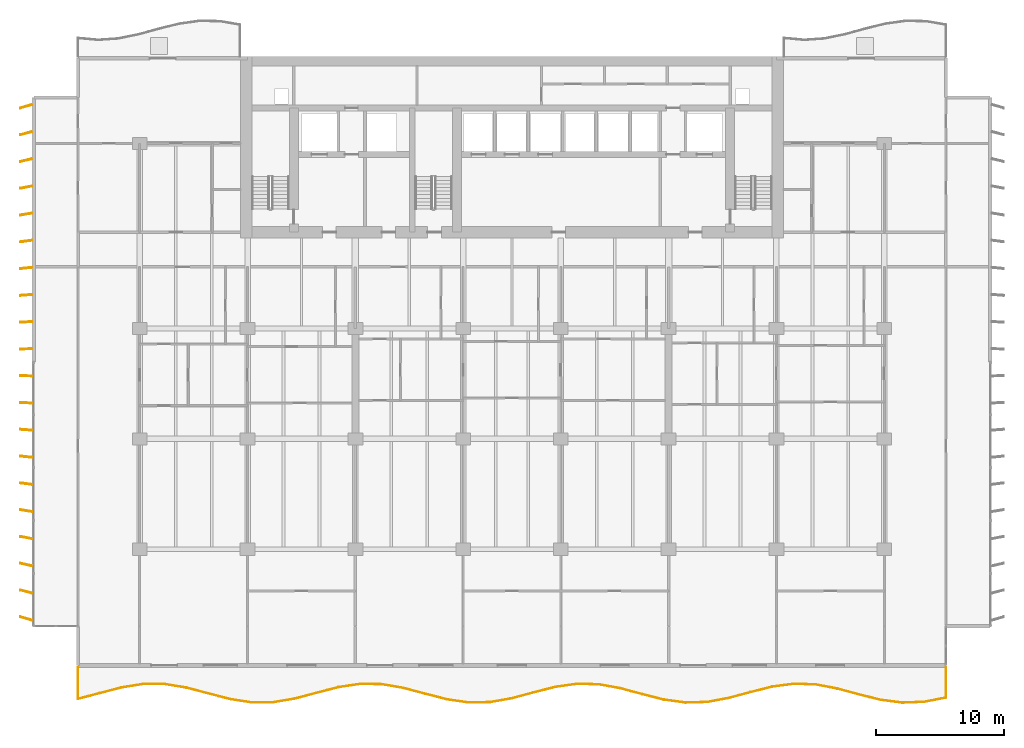
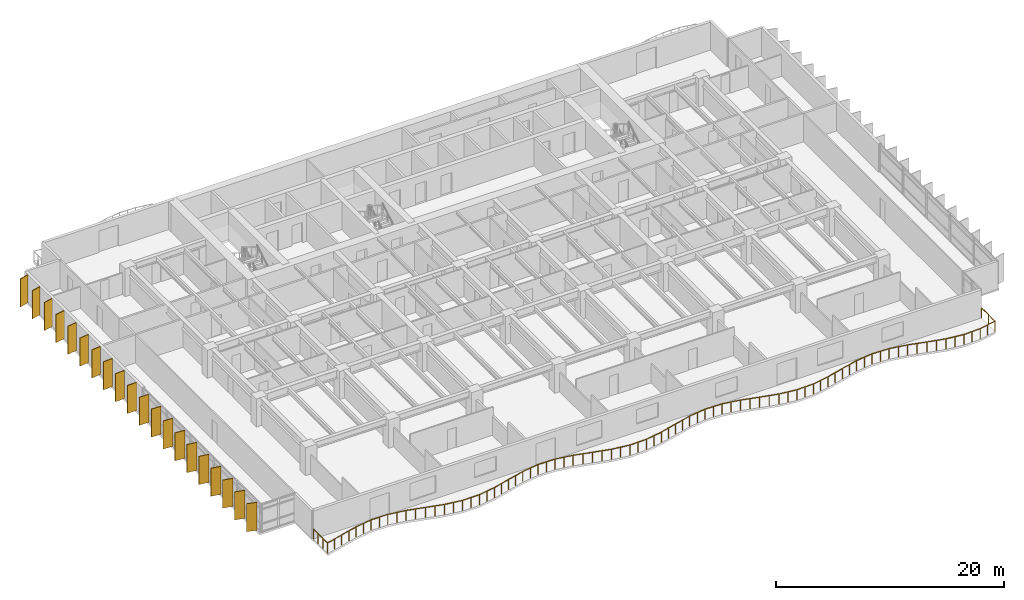
# One storey, part 12 of 15: 20 shading devices, 1 railing.
"""IFC4 building model written with IfcOpenShell, lengths in metres."""

from ifc_helpers import new_model, si_unit, direction, frame, origin, origin_2d, place, context, subcontext, project, spatial, rectangle, circle, extrude, material, material_profile, profile_set, type_object, element, save


model = new_model("IFC4")

# Units and contexts
model_context = context("Model", 3, precision=1e-05, world=origin(), true_north=direction((0.0, 1.0)))
body_context = subcontext(model_context, "Body", "Model", "MODEL_VIEW")
ifc_project = project(units=[si_unit("LENGTHUNIT", "METRE"), si_unit("AREAUNIT", "SQUARE_METRE"), si_unit("VOLUMEUNIT", "CUBIC_METRE"), si_unit("PLANEANGLEUNIT", "RADIAN"), si_unit("MASSUNIT", "GRAM", prefix="KILO")], contexts=[model_context])

# Site, building, storey
site_placement = place(None, origin())
site = spatial("IfcSite", under=ifc_project, at=site_placement, CompositionType="ELEMENT")
building_placement = place(site_placement, origin())
building = spatial("IfcBuilding", under=site, at=building_placement, Name="Caelmar Bay Residences", CompositionType="ELEMENT")
storey_placement = place(building_placement, frame((0.0, 0.0, 76.199951171875)))
storey = spatial("IfcBuildingStorey", under=building, at=storey_placement, Name="L20", CompositionType="ELEMENT", Elevation=76.199951171875)

# Railing
ifc_material_1 = material(Name="Anodised bronze handrail with laminated hurricane glass infill", Category="glass")
railing_type = type_object("IfcRailingType", Name="RL-BAL-1100", PredefinedType="BALUSTRADE", material=ifc_material_1)
railing_placement = place(storey_placement, frame((5.10009765625, 3.0, 0.0)))
element("IfcRailing", 1, at=railing_placement, inside=storey, type_object=railing_type, Name="L20 south Balcony Balustrade", PredefinedType="BALUSTRADE", context=body_context, shape_type="SweptSolid", body=[
    extrude(circle(Radius=0.02392578125, at=origin_2d()), frame((0.0, 0.0, 1.076171875), z_axis=(0.0, -1.0, 0.0), x_axis=(1.0, 0.0, 0.0)), (0.0, 0.0, 1.0), 2.460693359375),
    extrude(circle(Radius=0.02392578125, at=origin_2d()), frame((0.0, -2.460693359375, 1.076171875), z_axis=(0.967231823258, 0.25389486028, 0.0), x_axis=(-0.25389486028, 0.967231823258, 0.0)), (0.0, 0.0, 1.0), 1.747314453125),
    extrude(circle(Radius=0.02392578125, at=origin_2d()), frame((1.68994140625, -2.01708984375, 1.076171875), z_axis=(0.967403207519, 0.253241059235, 0.0), x_axis=(-0.253241059235, 0.967403207519, 0.0)), (0.0, 0.0, 1.0), 1.746826171875),
    extrude(circle(Radius=0.02392578125, at=origin_2d()), frame((3.3798828125, -1.57470703125, 1.076171875), z_axis=(0.987429947528, 0.158057264066, 0.0), x_axis=(-0.158057264066, 0.987429947528, 0.0)), (0.0, 0.0, 1.0), 1.71142578125),
    extrude(circle(Radius=0.02392578125, at=origin_2d()), frame((5.06982421875, -1.30419921875, 1.076171875), z_axis=(0.999993479857, -0.00361112769, 0.0), x_axis=(0.00361112769, 0.999993479857, 0.0)), (0.0, 0.0, 1.0), 1.690185546875),
    extrude(circle(Radius=0.02392578125, at=origin_2d()), frame((6.760009765625, -1.310302734375, 1.076171875), z_axis=(0.986524575318, -0.16361314829, 0.0), x_axis=(0.16361314829, 0.986524575318, 0.0)), (0.0, 0.0, 1.0), 1.713134765625),
    extrude(circle(Radius=0.02392578125, at=origin_2d()), frame((8.449951171875, -1.590576171875, 1.076171875), z_axis=(0.966853438305, -0.255331997287, 0.0), x_axis=(0.255331997287, 0.966853438305, 0.0)), (0.0, 0.0, 1.0), 1.747802734375),
    extrude(circle(Radius=0.02392578125, at=origin_2d()), frame((10.139892578125, -2.036865234375, 1.076171875), z_axis=(0.967778909052, -0.251801475759, 0.0), x_axis=(0.251801475759, 0.967778909052, 0.0)), (0.0, 0.0, 1.0), 1.74609375),
    extrude(circle(Radius=0.02392578125, at=origin_2d()), frame((11.829833984375, -2.4765625, 1.076171875), z_axis=(0.988071145599, -0.153998088416, 0.0), x_axis=(0.153998088416, 0.988071145599, 0.0)), (0.0, 0.0, 1.0), 1.710693359375),
    extrude(circle(Radius=0.02392578125, at=origin_2d()), frame((13.52001953125, -2.739990234375, 1.076171875), z_axis=(0.999961172343, 0.008812139774, 0.0), x_axis=(-0.008812139774, 0.999961172343, 0.0)), (0.0, 0.0, 1.0), 1.68994140625),
    extrude(circle(Radius=0.02392578125, at=origin_2d()), frame((15.2099609375, -2.72509765625, 1.076171875), z_axis=(0.985849727749, 0.167631483612, 0.0), x_axis=(-0.167631483612, 0.985849727749, 0.0)), (0.0, 0.0, 1.0), 1.714111328125),
    extrude(circle(Radius=0.02392578125, at=origin_2d()), frame((16.89990234375, -2.437744140625, 1.076171875), z_axis=(0.966542484633, 0.25650657964, 0.0), x_axis=(-0.25650657964, 0.966542484633, 0.0)), (0.0, 0.0, 1.0), 1.74853515625),
    extrude(circle(Radius=0.02392578125, at=origin_2d()), frame((18.58984375, -1.9892578125, 1.076171875), z_axis=(0.968186650973, 0.25022911277, 0.0), x_axis=(-0.25022911277, 0.968186650973, 0.0)), (0.0, 0.0, 1.0), 1.745361328125),
    extrude(circle(Radius=0.02392578125, at=origin_2d()), frame((20.27978515625, -1.552490234375, 1.076171875), z_axis=(0.988714222179, 0.149813840686, 0.0), x_axis=(-0.149813840686, 0.988714222179, 0.0)), (0.0, 0.0, 1.0), 1.70947265625),
    extrude(circle(Radius=0.02392578125, at=origin_2d()), frame((21.969970703125, -1.29638671875, 1.076171875), z_axis=(0.999903841731, -0.013867490437, 0.0), x_axis=(0.013867490437, 0.999903841731, 0.0)), (0.0, 0.0, 1.0), 1.690185546875),
    extrude(circle(Radius=0.02392578125, at=origin_2d()), frame((23.659912109375, -1.31982421875, 1.076171875), z_axis=(0.985183537336, -0.171503346213, 0.0), x_axis=(0.171503346213, 0.985183537336, 0.0)), (0.0, 0.0, 1.0), 1.71533203125),
    extrude(circle(Radius=0.02392578125, at=origin_2d()), frame((25.349853515625, -1.614013671875, 1.076171875), z_axis=(0.966195543816, -0.257810339415, 0.0), x_axis=(0.257810339415, 0.966195543816, 0.0)), (0.0, 0.0, 1.0), 1.7490234375),
    extrude(circle(Radius=0.02392578125, at=origin_2d()), frame((27.039794921875, -2.06494140625, 1.076171875), z_axis=(0.968634512431, -0.248489801253, 0.0), x_axis=(0.248489801253, 0.968634512431, 0.0)), (0.0, 0.0, 1.0), 1.744873046875),
    extrude(circle(Radius=0.02392578125, at=origin_2d()), frame((28.72998046875, -2.49853515625, 1.076171875), z_axis=(0.989337340387, -0.145642119309, 0.0), x_axis=(0.145642119309, 0.989337340387, 0.0)), (0.0, 0.0, 1.0), 1.708251953125),
    extrude(circle(Radius=0.02392578125, at=origin_2d()), frame((30.419921875, -2.747314453125, 1.076171875), z_axis=(0.999818224123, 0.019066166655, 0.0), x_axis=(-0.019066166655, 0.999818224123, 0.0)), (0.0, 0.0, 1.0), 1.690185546875),
    extrude(circle(Radius=0.02392578125, at=origin_2d()), frame((32.10986328125, -2.715087890625, 1.076171875), z_axis=(0.984527628223, 0.17522941895, 0.0), x_axis=(-0.17522941895, 0.984527628223, 0.0)), (0.0, 0.0, 1.0), 1.716552734375),
    extrude(circle(Radius=0.02392578125, at=origin_2d()), frame((33.7998046875, -2.414306640625, 1.076171875), z_axis=(0.965891365532, 0.258947620169, 0.0), x_axis=(-0.258947620169, 0.965891365532, 0.0)), (0.0, 0.0, 1.0), 1.749755859375),
    extrude(circle(Radius=0.02392578125, at=origin_2d()), frame((35.489990234375, -1.961181640625, 1.076171875), z_axis=(0.96906248009, 0.246815537764, 0.0), x_axis=(-0.246815537764, 0.96906248009, 0.0)), (0.0, 0.0, 1.0), 1.743896484375),
    extrude(circle(Radius=0.02392578125, at=origin_2d()), frame((37.179931640625, -1.53076171875, 1.076171875), z_axis=(0.989946633168, 0.141441378244, 0.0), x_axis=(-0.141441378244, 0.989946633168, 0.0)), (0.0, 0.0, 1.0), 1.70703125),
    extrude(circle(Radius=0.02392578125, at=origin_2d()), frame((38.869873046875, -1.289306640625, 1.076171875), z_axis=(0.999705602876, -0.02426329692, 0.0), x_axis=(0.02426329692, 0.999705602876, 0.0)), (0.0, 0.0, 1.0), 1.6904296875),
    extrude(circle(Radius=0.02392578125, at=origin_2d()), frame((40.559814453125, -1.330322265625, 1.076171875), z_axis=(0.983863087858, -0.178922956466, 0.0), x_axis=(0.178922956466, 0.983863087858, 0.0)), (0.0, 0.0, 1.0), 1.718017578125),
    extrude(circle(Radius=0.02392578125, at=origin_2d()), frame((42.25, -1.6376953125, 1.076171875), z_axis=(0.965602288492, -0.260023499819, 0.0), x_axis=(0.260023499819, 0.965602288492, 0.0)), (0.0, 0.0, 1.0), 1.750244140625),
    extrude(circle(Radius=0.02392578125, at=origin_2d()), frame((43.93994140625, -2.0927734375, 1.076171875), z_axis=(0.969529740211, -0.244973637045, 0.0), x_axis=(0.244973637045, 0.969529740211, 0.0)), (0.0, 0.0, 1.0), 1.7431640625),
    extrude(circle(Radius=0.02392578125, at=origin_2d()), frame((45.6298828125, -2.519775390625, 1.076171875), z_axis=(0.990558239729, -0.137092573485, 0.0), x_axis=(0.137092573485, 0.990558239729, 0.0)), (0.0, 0.0, 1.0), 1.7060546875),
    extrude(circle(Radius=0.02392578125, at=origin_2d()), frame((47.31982421875, -2.753662109375, 1.076171875), z_axis=(0.999570371119, 0.029309950215, 0.0), x_axis=(-0.029309950215, 0.999570371119, 0.0)), (0.0, 0.0, 1.0), 1.69091796875),
    extrude(circle(Radius=0.02392578125, at=origin_2d()), frame((49.010009765625, -2.7041015625, 1.076171875), z_axis=(0.983176348707, 0.182658882467, 0.0), x_axis=(-0.182658882467, 0.983176348707, 0.0)), (0.0, 0.0, 1.0), 1.71875),
    extrude(circle(Radius=0.02392578125, at=origin_2d()), frame((50.699951171875, -2.39013671875, 1.076171875), z_axis=(0.965321609999, 0.261063573233, 0.0), x_axis=(-0.261063573233, 0.965321609999, 0.0)), (0.0, 0.0, 1.0), 1.750732421875),
    extrude(circle(Radius=0.02392578125, at=origin_2d()), frame((52.389892578125, -1.93310546875, 1.076171875), z_axis=(0.970060007884, 0.242865355918, 0.0), x_axis=(-0.242865355918, 0.970060007884, 0.0)), (0.0, 0.0, 1.0), 1.7421875),
    extrude(circle(Radius=0.02392578125, at=origin_2d()), frame((54.079833984375, -1.510009765625, 1.076171875), z_axis=(0.991153973963, 0.132716991747, 0.0), x_axis=(-0.132716991747, 0.991153973963, 0.0)), (0.0, 0.0, 1.0), 1.705322265625),
    extrude(circle(Radius=0.02392578125, at=origin_2d()), frame((55.77001953125, -1.28369140625, 1.076171875), z_axis=(0.999409423897, -0.034362820411, 0.0), x_axis=(0.034362820411, 0.999409423897, 0.0)), (0.0, 0.0, 1.0), 1.69091796875),
    extrude(circle(Radius=0.02392578125, at=origin_2d()), frame((57.4599609375, -1.341796875, 1.076171875), z_axis=(0.982507127057, -0.186224985654, 0.0), x_axis=(0.186224985654, 0.982507127057, 0.0)), (0.0, 0.0, 1.0), 1.719970703125),
    extrude(circle(Radius=0.02392578125, at=origin_2d()), frame((59.14990234375, -1.662109375, 1.076171875), z_axis=(0.965110473694, -0.261843032303, 0.0), x_axis=(0.261843032303, 0.965110473694, 0.0)), (0.0, 0.0, 1.0), 1.7509765625),
    extrude(circle(Radius=0.02392578125, at=origin_2d()), frame((60.83984375, -2.12060546875, 1.076171875), z_axis=(0.970520699946, -0.241017781452, 0.0), x_axis=(0.241017781452, 0.970520699946, 0.0)), (0.0, 0.0, 1.0), 1.7412109375),
    extrude(circle(Radius=0.02392578125, at=origin_2d()), frame((62.52978515625, -2.540283203125, 1.076171875), z_axis=(0.991746752599, -0.128212240875, 0.0), x_axis=(0.128212240875, 0.991746752599, 0.0)), (0.0, 0.0, 1.0), 1.704345703125),
    extrude(circle(Radius=0.02392578125, at=origin_2d()), frame((64.219970703125, -2.7587890625, 1.076171875), z_axis=(0.99921747551, 0.03955295988, 0.0), x_axis=(-0.03955295988, 0.99921747551, 0.0)), (0.0, 0.0, 1.0), 1.691162109375),
    extrude(circle(Radius=0.02392578125, at=origin_2d()), frame((65.909912109375, -2.69189453125, 1.076171875), z_axis=(0.981852337734, 0.189647006003, 0.0), x_axis=(-0.189647006003, 0.981852337734, 0.0)), (0.0, 0.0, 1.0), 1.72119140625),
    extrude(circle(Radius=0.02392578125, at=origin_2d()), frame((67.599853515625, -2.365478515625, 1.076171875), z_axis=(0.0, 1.0, 0.0), x_axis=(-1.0, 0.0, 0.0)), (0.0, 0.0, 1.0), 2.365478515625),
    extrude(circle(Radius=0.02099609375, at=origin_2d()), origin(), (0.0, 0.0, 1.0), 1.052001953125),
    extrude(circle(Radius=0.02099609375, at=origin_2d()), frame((0.0, -0.8203125, 0.0)), (0.0, 0.0, 1.0), 1.052001953125),
    extrude(circle(Radius=0.02099609375, at=origin_2d()), frame((0.0, -1.640380859375, 0.0)), (0.0, 0.0, 1.0), 1.052001953125),
    extrude(circle(Radius=0.02099609375, at=origin_2d()), frame((0.0, -2.460693359375, 0.0)), (0.0, 0.0, 1.0), 1.052001953125),
    extrude(circle(Radius=0.02099609375, at=origin_2d()), frame((0.844970703125, -2.23876953125, 0.0)), (0.0, 0.0, 1.0), 1.052001953125),
    extrude(circle(Radius=0.02099609375, at=origin_2d()), frame((1.68994140625, -2.01708984375, 0.0)), (0.0, 0.0, 1.0), 1.052001953125),
    extrude(circle(Radius=0.02099609375, at=origin_2d()), frame((2.534912109375, -1.7958984375, 0.0)), (0.0, 0.0, 1.0), 1.052001953125),
    extrude(circle(Radius=0.02099609375, at=origin_2d()), frame((3.3798828125, -1.57470703125, 0.0)), (0.0, 0.0, 1.0), 1.052001953125),
    extrude(circle(Radius=0.02099609375, at=origin_2d()), frame((4.224853515625, -1.439453125, 0.0)), (0.0, 0.0, 1.0), 1.052001953125),
    extrude(circle(Radius=0.02099609375, at=origin_2d()), frame((5.06982421875, -1.30419921875, 0.0)), (0.0, 0.0, 1.0), 1.052001953125),
    extrude(circle(Radius=0.02099609375, at=origin_2d()), frame((5.9150390625, -1.30712890625, 0.0)), (0.0, 0.0, 1.0), 1.052001953125),
    extrude(circle(Radius=0.02099609375, at=origin_2d()), frame((6.760009765625, -1.310302734375, 0.0)), (0.0, 0.0, 1.0), 1.052001953125),
    extrude(circle(Radius=0.02099609375, at=origin_2d()), frame((7.60498046875, -1.450439453125, 0.0)), (0.0, 0.0, 1.0), 1.052001953125),
    extrude(circle(Radius=0.02099609375, at=origin_2d()), frame((8.449951171875, -1.590576171875, 0.0)), (0.0, 0.0, 1.0), 1.052001953125),
    extrude(circle(Radius=0.02099609375, at=origin_2d()), frame((9.294921875, -1.813720703125, 0.0)), (0.0, 0.0, 1.0), 1.052001953125),
    extrude(circle(Radius=0.02099609375, at=origin_2d()), frame((10.139892578125, -2.036865234375, 0.0)), (0.0, 0.0, 1.0), 1.052001953125),
    extrude(circle(Radius=0.02099609375, at=origin_2d()), frame((10.98486328125, -2.2568359375, 0.0)), (0.0, 0.0, 1.0), 1.052001953125),
    extrude(circle(Radius=0.02099609375, at=origin_2d()), frame((11.829833984375, -2.4765625, 0.0)), (0.0, 0.0, 1.0), 1.052001953125),
    extrude(circle(Radius=0.02099609375, at=origin_2d()), frame((12.6748046875, -2.6083984375, 0.0)), (0.0, 0.0, 1.0), 1.052001953125),
    extrude(circle(Radius=0.02099609375, at=origin_2d()), frame((13.52001953125, -2.739990234375, 0.0)), (0.0, 0.0, 1.0), 1.052001953125),
    extrude(circle(Radius=0.02099609375, at=origin_2d()), frame((14.364990234375, -2.732421875, 0.0)), (0.0, 0.0, 1.0), 1.052001953125),
    extrude(circle(Radius=0.02099609375, at=origin_2d()), frame((15.2099609375, -2.72509765625, 0.0)), (0.0, 0.0, 1.0), 1.052001953125),
    extrude(circle(Radius=0.02099609375, at=origin_2d()), frame((16.054931640625, -2.58154296875, 0.0)), (0.0, 0.0, 1.0), 1.052001953125),
    extrude(circle(Radius=0.02099609375, at=origin_2d()), frame((16.89990234375, -2.437744140625, 0.0)), (0.0, 0.0, 1.0), 1.052001953125),
    extrude(circle(Radius=0.02099609375, at=origin_2d()), frame((17.744873046875, -2.21337890625, 0.0)), (0.0, 0.0, 1.0), 1.052001953125),
    extrude(circle(Radius=0.02099609375, at=origin_2d()), frame((18.58984375, -1.9892578125, 0.0)), (0.0, 0.0, 1.0), 1.052001953125),
    extrude(circle(Radius=0.02099609375, at=origin_2d()), frame((19.434814453125, -1.77099609375, 0.0)), (0.0, 0.0, 1.0), 1.052001953125),
    extrude(circle(Radius=0.02099609375, at=origin_2d()), frame((20.27978515625, -1.552490234375, 0.0)), (0.0, 0.0, 1.0), 1.052001953125),
    extrude(circle(Radius=0.02099609375, at=origin_2d()), frame((21.125, -1.42431640625, 0.0)), (0.0, 0.0, 1.0), 1.052001953125),
    extrude(circle(Radius=0.02099609375, at=origin_2d()), frame((21.969970703125, -1.29638671875, 0.0)), (0.0, 0.0, 1.0), 1.052001953125),
    extrude(circle(Radius=0.02099609375, at=origin_2d()), frame((22.81494140625, -1.30810546875, 0.0)), (0.0, 0.0, 1.0), 1.052001953125),
    extrude(circle(Radius=0.02099609375, at=origin_2d()), frame((23.659912109375, -1.31982421875, 0.0)), (0.0, 0.0, 1.0), 1.052001953125),
    extrude(circle(Radius=0.02099609375, at=origin_2d()), frame((24.5048828125, -1.466796875, 0.0)), (0.0, 0.0, 1.0), 1.052001953125),
    extrude(circle(Radius=0.02099609375, at=origin_2d()), frame((25.349853515625, -1.614013671875, 0.0)), (0.0, 0.0, 1.0), 1.052001953125),
    extrude(circle(Radius=0.02099609375, at=origin_2d()), frame((26.19482421875, -1.83935546875, 0.0)), (0.0, 0.0, 1.0), 1.052001953125),
    extrude(circle(Radius=0.02099609375, at=origin_2d()), frame((27.039794921875, -2.06494140625, 0.0)), (0.0, 0.0, 1.0), 1.052001953125),
    extrude(circle(Radius=0.02099609375, at=origin_2d()), frame((27.884765625, -2.28173828125, 0.0)), (0.0, 0.0, 1.0), 1.052001953125),
    extrude(circle(Radius=0.02099609375, at=origin_2d()), frame((28.72998046875, -2.49853515625, 0.0)), (0.0, 0.0, 1.0), 1.052001953125),
    extrude(circle(Radius=0.02099609375, at=origin_2d()), frame((29.574951171875, -2.623046875, 0.0)), (0.0, 0.0, 1.0), 1.052001953125),
    extrude(circle(Radius=0.02099609375, at=origin_2d()), frame((30.419921875, -2.747314453125, 0.0)), (0.0, 0.0, 1.0), 1.052001953125),
    extrude(circle(Radius=0.02099609375, at=origin_2d()), frame((31.264892578125, -2.731201171875, 0.0)), (0.0, 0.0, 1.0), 1.052001953125),
    extrude(circle(Radius=0.02099609375, at=origin_2d()), frame((32.10986328125, -2.715087890625, 0.0)), (0.0, 0.0, 1.0), 1.052001953125),
    extrude(circle(Radius=0.02099609375, at=origin_2d()), frame((32.954833984375, -2.564697265625, 0.0)), (0.0, 0.0, 1.0), 1.052001953125),
    extrude(circle(Radius=0.02099609375, at=origin_2d()), frame((33.7998046875, -2.414306640625, 0.0)), (0.0, 0.0, 1.0), 1.052001953125),
    extrude(circle(Radius=0.02099609375, at=origin_2d()), frame((34.64501953125, -2.187744140625, 0.0)), (0.0, 0.0, 1.0), 1.052001953125),
    extrude(circle(Radius=0.02099609375, at=origin_2d()), frame((35.489990234375, -1.961181640625, 0.0)), (0.0, 0.0, 1.0), 1.052001953125),
    extrude(circle(Radius=0.02099609375, at=origin_2d()), frame((36.3349609375, -1.74609375, 0.0)), (0.0, 0.0, 1.0), 1.052001953125),
    extrude(circle(Radius=0.02099609375, at=origin_2d()), frame((37.179931640625, -1.53076171875, 0.0)), (0.0, 0.0, 1.0), 1.052001953125),
    extrude(circle(Radius=0.02099609375, at=origin_2d()), frame((38.02490234375, -1.41015625, 0.0)), (0.0, 0.0, 1.0), 1.052001953125),
    extrude(circle(Radius=0.02099609375, at=origin_2d()), frame((38.869873046875, -1.289306640625, 0.0)), (0.0, 0.0, 1.0), 1.052001953125),
    extrude(circle(Radius=0.02099609375, at=origin_2d()), frame((39.71484375, -1.309814453125, 0.0)), (0.0, 0.0, 1.0), 1.052001953125),
    extrude(circle(Radius=0.02099609375, at=origin_2d()), frame((40.559814453125, -1.330322265625, 0.0)), (0.0, 0.0, 1.0), 1.052001953125),
    extrude(circle(Radius=0.02099609375, at=origin_2d()), frame((41.40478515625, -1.48388671875, 0.0)), (0.0, 0.0, 1.0), 1.052001953125),
    extrude(circle(Radius=0.02099609375, at=origin_2d()), frame((42.25, -1.6376953125, 0.0)), (0.0, 0.0, 1.0), 1.052001953125),
    extrude(circle(Radius=0.02099609375, at=origin_2d()), frame((43.094970703125, -1.865234375, 0.0)), (0.0, 0.0, 1.0), 1.052001953125),
    extrude(circle(Radius=0.02099609375, at=origin_2d()), frame((43.93994140625, -2.0927734375, 0.0)), (0.0, 0.0, 1.0), 1.052001953125),
    extrude(circle(Radius=0.02099609375, at=origin_2d()), frame((44.784912109375, -2.30615234375, 0.0)), (0.0, 0.0, 1.0), 1.052001953125),
    extrude(circle(Radius=0.02099609375, at=origin_2d()), frame((45.6298828125, -2.519775390625, 0.0)), (0.0, 0.0, 1.0), 1.052001953125),
    extrude(circle(Radius=0.02099609375, at=origin_2d()), frame((46.474853515625, -2.63671875, 0.0)), (0.0, 0.0, 1.0), 1.052001953125),
    extrude(circle(Radius=0.02099609375, at=origin_2d()), frame((47.31982421875, -2.753662109375, 0.0)), (0.0, 0.0, 1.0), 1.052001953125),
    extrude(circle(Radius=0.02099609375, at=origin_2d()), frame((48.1650390625, -2.72900390625, 0.0)), (0.0, 0.0, 1.0), 1.052001953125),
    extrude(circle(Radius=0.02099609375, at=origin_2d()), frame((49.010009765625, -2.7041015625, 0.0)), (0.0, 0.0, 1.0), 1.052001953125),
    extrude(circle(Radius=0.02099609375, at=origin_2d()), frame((49.85498046875, -2.547119140625, 0.0)), (0.0, 0.0, 1.0), 1.052001953125),
    extrude(circle(Radius=0.02099609375, at=origin_2d()), frame((50.699951171875, -2.39013671875, 0.0)), (0.0, 0.0, 1.0), 1.052001953125),
    extrude(circle(Radius=0.02099609375, at=origin_2d()), frame((51.544921875, -2.16162109375, 0.0)), (0.0, 0.0, 1.0), 1.052001953125),
    extrude(circle(Radius=0.02099609375, at=origin_2d()), frame((52.389892578125, -1.93310546875, 0.0)), (0.0, 0.0, 1.0), 1.052001953125),
    extrude(circle(Radius=0.02099609375, at=origin_2d()), frame((53.23486328125, -1.7216796875, 0.0)), (0.0, 0.0, 1.0), 1.052001953125),
    extrude(circle(Radius=0.02099609375, at=origin_2d()), frame((54.079833984375, -1.510009765625, 0.0)), (0.0, 0.0, 1.0), 1.052001953125),
    extrude(circle(Radius=0.02099609375, at=origin_2d()), frame((54.9248046875, -1.39697265625, 0.0)), (0.0, 0.0, 1.0), 1.052001953125),
    extrude(circle(Radius=0.02099609375, at=origin_2d()), frame((55.77001953125, -1.28369140625, 0.0)), (0.0, 0.0, 1.0), 1.052001953125),
    extrude(circle(Radius=0.02099609375, at=origin_2d()), frame((56.614990234375, -1.312744140625, 0.0)), (0.0, 0.0, 1.0), 1.052001953125),
    extrude(circle(Radius=0.02099609375, at=origin_2d()), frame((57.4599609375, -1.341796875, 0.0)), (0.0, 0.0, 1.0), 1.052001953125),
    extrude(circle(Radius=0.02099609375, at=origin_2d()), frame((58.304931640625, -1.501953125, 0.0)), (0.0, 0.0, 1.0), 1.052001953125),
    extrude(circle(Radius=0.02099609375, at=origin_2d()), frame((59.14990234375, -1.662109375, 0.0)), (0.0, 0.0, 1.0), 1.052001953125),
    extrude(circle(Radius=0.02099609375, at=origin_2d()), frame((59.994873046875, -1.891357421875, 0.0)), (0.0, 0.0, 1.0), 1.052001953125),
    extrude(circle(Radius=0.02099609375, at=origin_2d()), frame((60.83984375, -2.12060546875, 0.0)), (0.0, 0.0, 1.0), 1.052001953125),
    extrude(circle(Radius=0.02099609375, at=origin_2d()), frame((61.684814453125, -2.33056640625, 0.0)), (0.0, 0.0, 1.0), 1.052001953125),
    extrude(circle(Radius=0.02099609375, at=origin_2d()), frame((62.52978515625, -2.540283203125, 0.0)), (0.0, 0.0, 1.0), 1.052001953125),
    extrude(circle(Radius=0.02099609375, at=origin_2d()), frame((63.375, -2.6494140625, 0.0)), (0.0, 0.0, 1.0), 1.052001953125),
    extrude(circle(Radius=0.02099609375, at=origin_2d()), frame((64.219970703125, -2.7587890625, 0.0)), (0.0, 0.0, 1.0), 1.052001953125),
    extrude(circle(Radius=0.02099609375, at=origin_2d()), frame((65.06494140625, -2.725341796875, 0.0)), (0.0, 0.0, 1.0), 1.052001953125),
    extrude(circle(Radius=0.02099609375, at=origin_2d()), frame((65.909912109375, -2.69189453125, 0.0)), (0.0, 0.0, 1.0), 1.052001953125),
    extrude(circle(Radius=0.02099609375, at=origin_2d()), frame((66.7548828125, -2.52880859375, 0.0)), (0.0, 0.0, 1.0), 1.052001953125),
    extrude(circle(Radius=0.02099609375, at=origin_2d()), frame((67.599853515625, -2.365478515625, 0.0)), (0.0, 0.0, 1.0), 1.052001953125),
    extrude(circle(Radius=0.02099609375, at=origin_2d()), frame((67.599853515625, -1.1826171875, 0.0)), (0.0, 0.0, 1.0), 1.052001953125),
    extrude(circle(Radius=0.02099609375, at=origin_2d()), frame((67.599853515625, 0.0, 0.0)), (0.0, 0.0, 1.0), 1.052001953125),
])

# Shading devices
ifc_material_2 = material(Name="Anodised architectural bronze aluminium 6063-T6", Category="aluminium")
ifc_material_profile = material_profile(ifc_material_2, rectangle(XDim=0.074951171875, YDim=0.949951171875, at=origin_2d()), Name="BRONZE-FIN-75X950")
ifc_profile_set = profile_set([ifc_material_profile], Name="Anodised architectural bronze aluminium 6063-T6")
shading_device_type = type_object("IfcShadingDeviceType", Name="SHD-FIN-950", PredefinedType="USERDEFINED", material=ifc_profile_set)
for number, where, z_axis, x_axis, name in (
    (2, (1.050048828125, 6.800048828125, 0.0), (0.0, 0.0, 1.0), (0.275637355817, 0.961261695938, 0.0), "L20 West Bronze Solar Fin 1"),
    (3, (1.050048828125, 8.89990234375, 0.0), (0.0, 0.0, 1.0), (0.247337247968, 0.968929453452, 0.0), "L20 West Bronze Solar Fin 2"),
    (4, (1.050048828125, 11.0, 0.0), (0.0, 0.0, 1.0), (0.218654200292, 0.975802408633, 0.0), "L20 West Bronze Solar Fin 3"),
    (5, (1.050048828125, 13.10009765625, 0.0), (0.0, 0.0, 1.0), (0.189952291512, 0.981793321911, 0.0), "L20 West Bronze Solar Fin 4"),
    (6, (1.050048828125, 15.199951171875, 0.0), (0.0, 0.0, 1.0), (0.160914826518, 0.986968296657, 0.0), "L20 West Bronze Solar Fin 5"),
    (7, (1.050048828125, 17.300048828125, 0.0), (0.0, 0.0, 1.0), (0.131910382711, 0.991261646052, 0.0), "L20 West Bronze Solar Fin 6"),
    (8, (1.050048828125, 19.39990234375, 0.0), (0.0, 0.0, 1.0), (0.10261892683, 0.994720742649, 0.0), "L20 West Bronze Solar Fin 7"),
    (9, (1.050048828125, 21.5, 0.0), (0.0, 0.0, 1.0), (0.073412260224, 0.997301679558, 0.0), "L20 West Bronze Solar Fin 8"),
    (10, (1.050048828125, 23.60009765625, 0.0), (0.0, 0.0, 1.0), (0.044142481788, 0.999025245578, 0.0), "L20 West Bronze Solar Fin 9"),
    (11, (1.050048828125, 25.699951171875, 0.0), (0.0, 0.0, 1.0), (0.01466024053, 0.999892532899, 0.0), "L20 West Bronze Solar Fin 10"),
    (12, (1.050048828125, 27.800048828125, 0.0), (0.0, 0.0, 1.0), (-0.01466024053, 0.999892532899, 0.0), "L20 West Bronze Solar Fin 11"),
    (13, (1.050048828125, 29.89990234375, 0.0), (0.0, 0.0, 1.0), (-0.044142481788, 0.999025245578, 0.0), "L20 West Bronze Solar Fin 12"),
    (14, (1.050048828125, 32.0, 0.0), (0.0, 0.0, 1.0), (-0.073412260224, 0.997301679558, 0.0), "L20 West Bronze Solar Fin 13"),
    (15, (1.050048828125, 34.10009765625, 0.0), (0.0, 0.0, 1.0), (-0.10261892683, 0.994720742649, 0.0), "L20 West Bronze Solar Fin 14"),
    (16, (1.050048828125, 36.199951171875, 0.0), (0.0, 0.0, 1.0), (-0.131910382711, 0.991261646052, 0.0), "L20 West Bronze Solar Fin 15"),
    (17, (1.050048828125, 38.300048828125, 0.0), (0.0, 0.0, 1.0), (-0.160914826518, 0.986968296657, 0.0), "L20 West Bronze Solar Fin 16"),
    (18, (1.050048828125, 40.39990234375, 0.0), (0.0, 0.0, 1.0), (-0.189952291512, 0.981793321911, 0.0), "L20 West Bronze Solar Fin 17"),
    (19, (1.050048828125, 42.5, 0.0), (0.0, 0.0, 1.0), (-0.218654200292, 0.975802408633, 0.0), "L20 West Bronze Solar Fin 18"),
    (20, (1.050048828125, 44.60009765625, 0.0), (0.0, 0.0, 1.0), (-0.247337247968, 0.968929453452, 0.0), "L20 West Bronze Solar Fin 19"),
    (21, (1.050048828125, 46.699951171875, 0.0), (0.0, 0.0, 1.0), (-0.275637355817, 0.961261695938, 0.0), "L20 West Bronze Solar Fin 20"),
):
    element("IfcShadingDevice", number, at=place(storey_placement, frame(where, z_axis=z_axis, x_axis=x_axis)), inside=storey, type_object=shading_device_type, Name=name, ObjectType="FIN", PredefinedType="USERDEFINED", context=body_context, shape_type="SweptSolid", body=[
        extrude(rectangle(XDim=0.074951171875, YDim=0.949951171875, at=origin_2d()), origin(), (0.0, 0.0, 1.0), 3.0),
    ])

save(model, "model.ifc")
